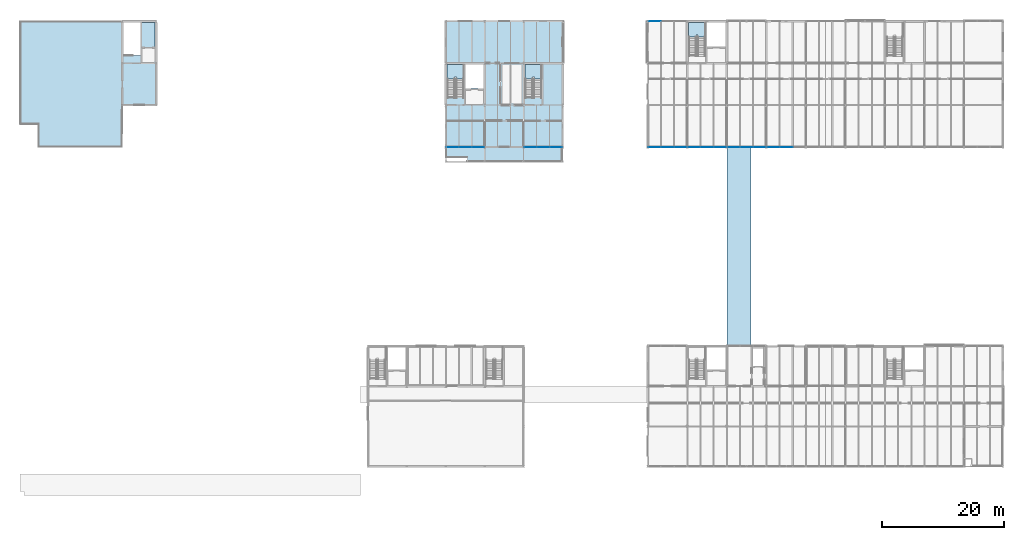
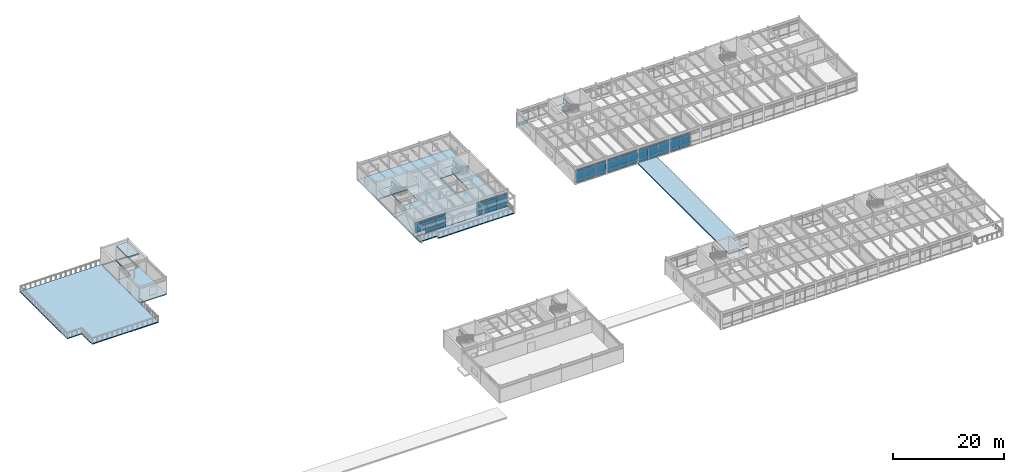
# One storey, part 30 of 49: 51 plates, 9 slabs, 10 elements without a shape of their own.
"""IFC4 building model written with IfcOpenShell, lengths in metres."""

from ifc_helpers import new_model, si_unit, direction, frame, origin, origin_2d, place, context, subcontext, project, spatial, polyline, rectangle, outline, extrude, material, layer, layer_set, type_object, element, aggregate, save


model = new_model("IFC4")

# Units and contexts
model_context = context("Model", 3, precision=1e-05, world=origin(), true_north=direction((0.0, 1.0)))
body_context = subcontext(model_context, "Body", "Model", "MODEL_VIEW")
ifc_project = project(units=[si_unit("LENGTHUNIT", "METRE"), si_unit("AREAUNIT", "SQUARE_METRE"), si_unit("VOLUMEUNIT", "CUBIC_METRE"), si_unit("PLANEANGLEUNIT", "RADIAN"), si_unit("MASSUNIT", "GRAM", prefix="KILO")], contexts=[model_context])

# Site, building, storey
site_placement = place(None, origin())
site = spatial("IfcSite", under=ifc_project, at=site_placement, CompositionType="ELEMENT")
building_placement = place(site_placement, origin())
building = spatial("IfcBuilding", under=site, at=building_placement, Name="Trelmorton Wharf Fire Station", CompositionType="ELEMENT")
storey_placement = place(building_placement, frame((0.0, 0.0, 9.60009765625)))
storey = spatial("IfcBuildingStorey", under=building, at=storey_placement, Name="L02", CompositionType="ELEMENT", Elevation=9.60009765625)

# Curtain wall, plates
ifc_material_1 = material(Name="Anodised aluminium AW-6063", Category="aluminium")
ifc_layer_1 = layer(ifc_material_1, 0.159912109375)
ifc_layer_set_1 = layer_set([ifc_layer_1], Name="Anodised aluminium AW-6063")
curtain_wall_type_1 = type_object("IfcCurtainWallType", Name="CW_CHIC_A", PredefinedType="USERDEFINED", material=ifc_layer_set_1)
curtain_wall_1_placement = place(storey_placement, origin())
curtain_wall_1 = element("IfcCurtainWall", 1, at=curtain_wall_1_placement, inside=storey, type_object=curtain_wall_type_1, Name="CW-V2-L02-101", ObjectType="CHICAGO BAY CURTAIN WALL", PredefinedType="USERDEFINED")
ifc_material_2 = material(Name="Tempered low-E double glazing", Category="glass")
ifc_layer_2 = layer(ifc_material_2, 0.028076171875)
ifc_layer_set_2 = layer_set([ifc_layer_2], Name="Tempered low-E double glazing")
plate_type_1 = type_object("IfcPlateType", Name="CWP_GLAZ_28", PredefinedType="CURTAIN_PANEL", material=ifc_layer_set_2)
plate_1_placement = place(storey_placement, frame((76.114990234375, 60.300048828125, 0.06005859375), z_axis=(0.0, 0.0, 1.0), x_axis=(-1.0, 0.0, 0.0)))
plate_1 = element("IfcPlate", 2, at=plate_1_placement, type_object=plate_type_1, Name="CW1 panel 1.1", PredefinedType="CURTAIN_PANEL", context=body_context, shape_type="SweptSolid", body=[
    extrude(rectangle(XDim=2.0400390625, YDim=0.028076171875, at=origin_2d()), origin(), (0.0, 0.0, 1.0), 0.760009765625),
])
plate_2_placement = place(storey_placement, frame((76.114990234375, 60.300048828125, 0.8798828125), z_axis=(0.0, 0.0, 1.0), x_axis=(-1.0, 0.0, 0.0)))
plate_2 = element("IfcPlate", 3, at=plate_2_placement, type_object=plate_type_1, Name="CW1 panel 1.2", PredefinedType="CURTAIN_PANEL", context=body_context, shape_type="SweptSolid", body=[
    extrude(rectangle(XDim=2.0400390625, YDim=0.028076171875, at=origin_2d()), origin(), (0.0, 0.0, 1.0), 1.610107421875),
])
plate_3_placement = place(storey_placement, frame((76.114990234375, 60.300048828125, 2.5498046875), z_axis=(0.0, 0.0, 1.0), x_axis=(-1.0, 0.0, 0.0)))
plate_3 = element("IfcPlate", 4, at=plate_3_placement, type_object=plate_type_1, Name="CW1 panel 1.3", PredefinedType="CURTAIN_PANEL", context=body_context, shape_type="SweptSolid", body=[
    extrude(rectangle(XDim=2.0400390625, YDim=0.028076171875, at=origin_2d()), origin(), (0.0, 0.0, 1.0), 0.409912109375),
])
plate_4_placement = place(storey_placement, frame((74.0, 60.300048828125, 0.06005859375), z_axis=(0.0, 0.0, 1.0), x_axis=(-1.0, 0.0, 0.0)))
plate_4 = element("IfcPlate", 5, at=plate_4_placement, type_object=plate_type_1, Name="CW1 panel 2.1", PredefinedType="CURTAIN_PANEL", context=body_context, shape_type="SweptSolid", body=[
    extrude(rectangle(XDim=2.070068359375, YDim=0.028076171875, at=origin_2d()), origin(), (0.0, 0.0, 1.0), 0.760009765625),
])
plate_5_placement = place(storey_placement, frame((74.0, 60.300048828125, 0.8798828125), z_axis=(0.0, 0.0, 1.0), x_axis=(-1.0, 0.0, 0.0)))
plate_5 = element("IfcPlate", 6, at=plate_5_placement, type_object=plate_type_1, Name="CW1 panel 2.2", PredefinedType="CURTAIN_PANEL", context=body_context, shape_type="SweptSolid", body=[
    extrude(rectangle(XDim=2.070068359375, YDim=0.028076171875, at=origin_2d()), origin(), (0.0, 0.0, 1.0), 1.610107421875),
])
plate_6_placement = place(storey_placement, frame((74.0, 60.300048828125, 2.5498046875), z_axis=(0.0, 0.0, 1.0), x_axis=(-1.0, 0.0, 0.0)))
plate_6 = element("IfcPlate", 7, at=plate_6_placement, type_object=plate_type_1, Name="CW1 panel 2.3", PredefinedType="CURTAIN_PANEL", context=body_context, shape_type="SweptSolid", body=[
    extrude(rectangle(XDim=2.070068359375, YDim=0.028076171875, at=origin_2d()), origin(), (0.0, 0.0, 1.0), 0.409912109375),
])
plate_7_placement = place(storey_placement, frame((71.885009765625, 60.300048828125, 0.8798828125), z_axis=(0.0, 0.0, 1.0), x_axis=(-1.0, 0.0, 0.0)))
plate_7 = element("IfcPlate", 8, at=plate_7_placement, type_object=plate_type_1, Name="CW1 panel 3.2", PredefinedType="CURTAIN_PANEL", context=body_context, shape_type="SweptSolid", body=[
    extrude(rectangle(XDim=2.0400390625, YDim=0.028076171875, at=origin_2d()), origin(), (0.0, 0.0, 1.0), 1.610107421875),
])
plate_8_placement = place(storey_placement, frame((71.885009765625, 60.300048828125, 2.5498046875), z_axis=(0.0, 0.0, 1.0), x_axis=(-1.0, 0.0, 0.0)))
plate_8 = element("IfcPlate", 9, at=plate_8_placement, type_object=plate_type_1, Name="CW1 panel 3.3", PredefinedType="CURTAIN_PANEL", context=body_context, shape_type="SweptSolid", body=[
    extrude(rectangle(XDim=2.0400390625, YDim=0.028076171875, at=origin_2d()), origin(), (0.0, 0.0, 1.0), 0.409912109375),
])
aggregate(curtain_wall_1, [plate_1, plate_2, plate_3, plate_4, plate_5, plate_6, plate_7, plate_8])

ifc_layer_3 = layer(ifc_material_1, 0.175048828125)
ifc_layer_set_3 = layer_set([ifc_layer_3], Name="Anodised aluminium AW-6063")
curtain_wall_type_2 = type_object("IfcCurtainWallType", Name="CW_CHIC_B", PredefinedType="USERDEFINED", material=ifc_layer_set_3)
curtain_wall_2_placement = place(storey_placement, origin())
curtain_wall_2 = element("IfcCurtainWall", 10, at=curtain_wall_2_placement, inside=storey, type_object=curtain_wall_type_2, Name="CW-V4-L02-130", ObjectType="CHICAGO BAY CURTAIN WALL", PredefinedType="USERDEFINED")
plate_9_placement = place(storey_placement, frame((109.3984375, 60.300048828125, 0.06005859375), z_axis=(0.0, 0.0, 1.0), x_axis=(-1.0, 0.0, 0.0)))
plate_9 = element("IfcPlate", 11, at=plate_9_placement, type_object=plate_type_1, Name="CW2 panel 1.1", PredefinedType="CURTAIN_PANEL", context=body_context, shape_type="SweptSolid", body=[
    extrude(rectangle(XDim=2.0732421875, YDim=0.028076171875, at=origin_2d()), origin(), (0.0, 0.0, 1.0), 0.760009765625),
])
plate_10_placement = place(storey_placement, frame((109.3984375, 60.300048828125, 0.8798828125), z_axis=(0.0, 0.0, 1.0), x_axis=(-1.0, 0.0, 0.0)))
plate_10 = element("IfcPlate", 12, at=plate_10_placement, type_object=plate_type_1, Name="CW2 panel 1.2", PredefinedType="CURTAIN_PANEL", context=body_context, shape_type="SweptSolid", body=[
    extrude(rectangle(XDim=2.0732421875, YDim=0.028076171875, at=origin_2d()), origin(), (0.0, 0.0, 1.0), 1.610107421875),
])
plate_11_placement = place(storey_placement, frame((109.3984375, 60.300048828125, 2.5498046875), z_axis=(0.0, 0.0, 1.0), x_axis=(-1.0, 0.0, 0.0)))
plate_11 = element("IfcPlate", 13, at=plate_11_placement, type_object=plate_type_1, Name="CW2 panel 1.3", PredefinedType="CURTAIN_PANEL", context=body_context, shape_type="SweptSolid", body=[
    extrude(rectangle(XDim=2.0732421875, YDim=0.028076171875, at=origin_2d()), origin(), (0.0, 0.0, 1.0), 0.409912109375),
])
plate_12_placement = place(storey_placement, frame((107.25, 60.300048828125, 0.06005859375), z_axis=(0.0, 0.0, 1.0), x_axis=(-1.0, 0.0, 0.0)))
plate_12 = element("IfcPlate", 14, at=plate_12_placement, type_object=plate_type_1, Name="CW2 panel 2.1", PredefinedType="CURTAIN_PANEL", context=body_context, shape_type="SweptSolid", body=[
    extrude(rectangle(XDim=2.103271484375, YDim=0.028076171875, at=origin_2d()), origin(), (0.0, 0.0, 1.0), 0.760009765625),
])
plate_13_placement = place(storey_placement, frame((107.25, 60.300048828125, 0.8798828125), z_axis=(0.0, 0.0, 1.0), x_axis=(-1.0, 0.0, 0.0)))
plate_13 = element("IfcPlate", 15, at=plate_13_placement, type_object=plate_type_1, Name="CW2 panel 2.2", PredefinedType="CURTAIN_PANEL", context=body_context, shape_type="SweptSolid", body=[
    extrude(rectangle(XDim=2.103271484375, YDim=0.028076171875, at=origin_2d()), origin(), (0.0, 0.0, 1.0), 1.610107421875),
])
plate_14_placement = place(storey_placement, frame((107.25, 60.300048828125, 2.5498046875), z_axis=(0.0, 0.0, 1.0), x_axis=(-1.0, 0.0, 0.0)))
plate_14 = element("IfcPlate", 16, at=plate_14_placement, type_object=plate_type_1, Name="CW2 panel 2.3", PredefinedType="CURTAIN_PANEL", context=body_context, shape_type="SweptSolid", body=[
    extrude(rectangle(XDim=2.103271484375, YDim=0.028076171875, at=origin_2d()), origin(), (0.0, 0.0, 1.0), 0.409912109375),
])
plate_15_placement = place(storey_placement, frame((105.1015625, 60.300048828125, 0.06005859375), z_axis=(0.0, 0.0, 1.0), x_axis=(-1.0, 0.0, 0.0)))
plate_15 = element("IfcPlate", 17, at=plate_15_placement, type_object=plate_type_1, Name="CW2 panel 3.1", PredefinedType="CURTAIN_PANEL", context=body_context, shape_type="SweptSolid", body=[
    extrude(rectangle(XDim=2.0732421875, YDim=0.028076171875, at=origin_2d()), origin(), (0.0, 0.0, 1.0), 0.760009765625),
])
plate_16_placement = place(storey_placement, frame((105.1015625, 60.300048828125, 0.8798828125), z_axis=(0.0, 0.0, 1.0), x_axis=(-1.0, 0.0, 0.0)))
plate_16 = element("IfcPlate", 18, at=plate_16_placement, type_object=plate_type_1, Name="CW2 panel 3.2", PredefinedType="CURTAIN_PANEL", context=body_context, shape_type="SweptSolid", body=[
    extrude(rectangle(XDim=2.0732421875, YDim=0.028076171875, at=origin_2d()), origin(), (0.0, 0.0, 1.0), 1.610107421875),
])
plate_17_placement = place(storey_placement, frame((105.1015625, 60.300048828125, 2.5498046875), z_axis=(0.0, 0.0, 1.0), x_axis=(-1.0, 0.0, 0.0)))
plate_17 = element("IfcPlate", 19, at=plate_17_placement, type_object=plate_type_1, Name="CW2 panel 3.3", PredefinedType="CURTAIN_PANEL", context=body_context, shape_type="SweptSolid", body=[
    extrude(rectangle(XDim=2.0732421875, YDim=0.028076171875, at=origin_2d()), origin(), (0.0, 0.0, 1.0), 0.409912109375),
])
aggregate(curtain_wall_2, [plate_9, plate_10, plate_11, plate_12, plate_13, plate_14, plate_15, plate_16, plate_17])

curtain_wall_3_placement = place(storey_placement, origin())
curtain_wall_3 = element("IfcCurtainWall", 20, at=curtain_wall_3_placement, inside=storey, type_object=curtain_wall_type_2, Name="CW-V4-L02-131", ObjectType="CHICAGO BAY CURTAIN WALL", PredefinedType="USERDEFINED")
plate_18_placement = place(storey_placement, frame((115.8984375, 60.300048828125, 0.06005859375), z_axis=(0.0, 0.0, 1.0), x_axis=(-1.0, 0.0, 0.0)))
plate_18 = element("IfcPlate", 21, at=plate_18_placement, type_object=plate_type_1, Name="CW2 panel 1.1", PredefinedType="CURTAIN_PANEL", context=body_context, shape_type="SweptSolid", body=[
    extrude(rectangle(XDim=2.0732421875, YDim=0.028076171875, at=origin_2d()), origin(), (0.0, 0.0, 1.0), 0.760009765625),
])
plate_19_placement = place(storey_placement, frame((115.8984375, 60.300048828125, 0.8798828125), z_axis=(0.0, 0.0, 1.0), x_axis=(-1.0, 0.0, 0.0)))
plate_19 = element("IfcPlate", 22, at=plate_19_placement, type_object=plate_type_1, Name="CW2 panel 1.2", PredefinedType="CURTAIN_PANEL", context=body_context, shape_type="SweptSolid", body=[
    extrude(rectangle(XDim=2.0732421875, YDim=0.028076171875, at=origin_2d()), origin(), (0.0, 0.0, 1.0), 1.610107421875),
])
plate_20_placement = place(storey_placement, frame((115.8984375, 60.300048828125, 2.5498046875), z_axis=(0.0, 0.0, 1.0), x_axis=(-1.0, 0.0, 0.0)))
plate_20 = element("IfcPlate", 23, at=plate_20_placement, type_object=plate_type_1, Name="CW2 panel 1.3", PredefinedType="CURTAIN_PANEL", context=body_context, shape_type="SweptSolid", body=[
    extrude(rectangle(XDim=2.0732421875, YDim=0.028076171875, at=origin_2d()), origin(), (0.0, 0.0, 1.0), 0.409912109375),
])
plate_21_placement = place(storey_placement, frame((113.75, 60.300048828125, 0.06005859375), z_axis=(0.0, 0.0, 1.0), x_axis=(-1.0, 0.0, 0.0)))
plate_21 = element("IfcPlate", 24, at=plate_21_placement, type_object=plate_type_1, Name="CW2 panel 2.1", PredefinedType="CURTAIN_PANEL", context=body_context, shape_type="SweptSolid", body=[
    extrude(rectangle(XDim=2.103271484375, YDim=0.028076171875, at=origin_2d()), origin(), (0.0, 0.0, 1.0), 0.760009765625),
])
plate_22_placement = place(storey_placement, frame((113.75, 60.300048828125, 0.8798828125), z_axis=(0.0, 0.0, 1.0), x_axis=(-1.0, 0.0, 0.0)))
plate_22 = element("IfcPlate", 25, at=plate_22_placement, type_object=plate_type_1, Name="CW2 panel 2.2", PredefinedType="CURTAIN_PANEL", context=body_context, shape_type="SweptSolid", body=[
    extrude(rectangle(XDim=2.103271484375, YDim=0.028076171875, at=origin_2d()), origin(), (0.0, 0.0, 1.0), 1.610107421875),
])
plate_23_placement = place(storey_placement, frame((113.75, 60.300048828125, 2.5498046875), z_axis=(0.0, 0.0, 1.0), x_axis=(-1.0, 0.0, 0.0)))
plate_23 = element("IfcPlate", 26, at=plate_23_placement, type_object=plate_type_1, Name="CW2 panel 2.3", PredefinedType="CURTAIN_PANEL", context=body_context, shape_type="SweptSolid", body=[
    extrude(rectangle(XDim=2.103271484375, YDim=0.028076171875, at=origin_2d()), origin(), (0.0, 0.0, 1.0), 0.409912109375),
])
plate_24_placement = place(storey_placement, frame((111.6015625, 60.300048828125, 0.06005859375), z_axis=(0.0, 0.0, 1.0), x_axis=(-1.0, 0.0, 0.0)))
plate_24 = element("IfcPlate", 27, at=plate_24_placement, type_object=plate_type_1, Name="CW2 panel 3.1", PredefinedType="CURTAIN_PANEL", context=body_context, shape_type="SweptSolid", body=[
    extrude(rectangle(XDim=2.0732421875, YDim=0.028076171875, at=origin_2d()), origin(), (0.0, 0.0, 1.0), 0.760009765625),
])
plate_25_placement = place(storey_placement, frame((111.6015625, 60.300048828125, 0.8798828125), z_axis=(0.0, 0.0, 1.0), x_axis=(-1.0, 0.0, 0.0)))
plate_25 = element("IfcPlate", 28, at=plate_25_placement, type_object=plate_type_1, Name="CW2 panel 3.2", PredefinedType="CURTAIN_PANEL", context=body_context, shape_type="SweptSolid", body=[
    extrude(rectangle(XDim=2.0732421875, YDim=0.028076171875, at=origin_2d()), origin(), (0.0, 0.0, 1.0), 1.610107421875),
])
plate_26_placement = place(storey_placement, frame((111.6015625, 60.300048828125, 2.5498046875), z_axis=(0.0, 0.0, 1.0), x_axis=(-1.0, 0.0, 0.0)))
plate_26 = element("IfcPlate", 29, at=plate_26_placement, type_object=plate_type_1, Name="CW2 panel 3.3", PredefinedType="CURTAIN_PANEL", context=body_context, shape_type="SweptSolid", body=[
    extrude(rectangle(XDim=2.0732421875, YDim=0.028076171875, at=origin_2d()), origin(), (0.0, 0.0, 1.0), 0.409912109375),
])
aggregate(curtain_wall_3, [plate_18, plate_19, plate_20, plate_21, plate_22, plate_23, plate_24, plate_25, plate_26])

curtain_wall_4_placement = place(storey_placement, origin())
curtain_wall_4 = element("IfcCurtainWall", 30, at=curtain_wall_4_placement, inside=storey, type_object=curtain_wall_type_2, Name="CW-V4-L02-133", ObjectType="CHICAGO BAY CURTAIN WALL", PredefinedType="USERDEFINED")
plate_27_placement = place(storey_placement, frame((126.75, 60.300048828125, 0.06005859375), z_axis=(0.0, 0.0, 1.0), x_axis=(-1.0, 0.0, 0.0)))
plate_27 = element("IfcPlate", 31, at=plate_27_placement, type_object=plate_type_1, Name="CW2 panel 2.1", PredefinedType="CURTAIN_PANEL", context=body_context, shape_type="SweptSolid", body=[
    extrude(rectangle(XDim=2.103271484375, YDim=0.028076171875, at=origin_2d()), origin(), (0.0, 0.0, 1.0), 0.760009765625),
])
plate_28_placement = place(storey_placement, frame((126.75, 60.300048828125, 0.8798828125), z_axis=(0.0, 0.0, 1.0), x_axis=(-1.0, 0.0, 0.0)))
plate_28 = element("IfcPlate", 32, at=plate_28_placement, type_object=plate_type_1, Name="CW2 panel 2.2", PredefinedType="CURTAIN_PANEL", context=body_context, shape_type="SweptSolid", body=[
    extrude(rectangle(XDim=2.103271484375, YDim=0.028076171875, at=origin_2d()), origin(), (0.0, 0.0, 1.0), 1.610107421875),
])
plate_29_placement = place(storey_placement, frame((126.75, 60.300048828125, 2.5498046875), z_axis=(0.0, 0.0, 1.0), x_axis=(-1.0, 0.0, 0.0)))
plate_29 = element("IfcPlate", 33, at=plate_29_placement, type_object=plate_type_1, Name="CW2 panel 2.3", PredefinedType="CURTAIN_PANEL", context=body_context, shape_type="SweptSolid", body=[
    extrude(rectangle(XDim=2.103271484375, YDim=0.028076171875, at=origin_2d()), origin(), (0.0, 0.0, 1.0), 0.409912109375),
])
plate_30_placement = place(storey_placement, frame((124.6015625, 60.300048828125, 0.06005859375), z_axis=(0.0, 0.0, 1.0), x_axis=(-1.0, 0.0, 0.0)))
plate_30 = element("IfcPlate", 34, at=plate_30_placement, type_object=plate_type_1, Name="CW2 panel 3.1", PredefinedType="CURTAIN_PANEL", context=body_context, shape_type="SweptSolid", body=[
    extrude(rectangle(XDim=2.0732421875, YDim=0.028076171875, at=origin_2d()), origin(), (0.0, 0.0, 1.0), 0.760009765625),
])
plate_31_placement = place(storey_placement, frame((124.6015625, 60.300048828125, 0.8798828125), z_axis=(0.0, 0.0, 1.0), x_axis=(-1.0, 0.0, 0.0)))
plate_31 = element("IfcPlate", 35, at=plate_31_placement, type_object=plate_type_1, Name="CW2 panel 3.2", PredefinedType="CURTAIN_PANEL", context=body_context, shape_type="SweptSolid", body=[
    extrude(rectangle(XDim=2.0732421875, YDim=0.028076171875, at=origin_2d()), origin(), (0.0, 0.0, 1.0), 1.610107421875),
])
plate_32_placement = place(storey_placement, frame((124.6015625, 60.300048828125, 2.5498046875), z_axis=(0.0, 0.0, 1.0), x_axis=(-1.0, 0.0, 0.0)))
plate_32 = element("IfcPlate", 36, at=plate_32_placement, type_object=plate_type_1, Name="CW2 panel 3.3", PredefinedType="CURTAIN_PANEL", context=body_context, shape_type="SweptSolid", body=[
    extrude(rectangle(XDim=2.0732421875, YDim=0.028076171875, at=origin_2d()), origin(), (0.0, 0.0, 1.0), 0.409912109375),
])
aggregate(curtain_wall_4, [plate_27, plate_28, plate_29, plate_30, plate_31, plate_32])

# Curtain wall, plate
ifc_layer_4 = layer(ifc_material_1, 0.14990234375)
ifc_layer_set_4 = layer_set([ifc_layer_4], Name="Anodised aluminium AW-6063")
curtain_wall_type_3 = type_object("IfcCurtainWallType", Name="CW_UNIT_A", PredefinedType="USERDEFINED", material=ifc_layer_set_4)
curtain_wall_5_placement = place(storey_placement, origin())
curtain_wall_5 = element("IfcCurtainWall", 37, at=curtain_wall_5_placement, inside=storey, type_object=curtain_wall_type_3, Name="CW-V4-L02-139", ObjectType="UNITISED CURTAIN WALL", PredefinedType="USERDEFINED")
plate_33_placement = place(storey_placement, frame((105.1015625, 81.0, 0.06005859375), z_axis=(0.0, 0.0, 1.0), x_axis=(1.0, 0.0, 0.0)))
plate_33 = element("IfcPlate", 38, at=plate_33_placement, type_object=plate_type_1, Name="CW3 panel 1.1", PredefinedType="CURTAIN_PANEL", context=body_context, shape_type="SweptSolid", body=[
    extrude(rectangle(XDim=2.0732421875, YDim=0.028076171875, at=origin_2d()), origin(), (0.0, 0.0, 1.0), 0.760009765625),
])
aggregate(curtain_wall_5, [plate_33])

# Curtain wall, plates
curtain_wall_6_placement = place(storey_placement, origin())
curtain_wall_6 = element("IfcCurtainWall", 39, at=curtain_wall_6_placement, inside=storey, type_object=curtain_wall_type_1, Name="CW-V2-L02-102", ObjectType="CHICAGO BAY CURTAIN WALL", PredefinedType="USERDEFINED")
ifc_material_3 = material(Name="Ceramic-fritted spandrel glazing", Category="glass")
ifc_layer_5 = layer(ifc_material_3, 0.028076171875)
ifc_layer_set_5 = layer_set([ifc_layer_5], Name="Ceramic-fritted spandrel glazing")
plate_type_2 = type_object("IfcPlateType", Name="CWP_SPAN_48", PredefinedType="CURTAIN_PANEL", material=ifc_layer_set_5)
plate_34_placement = place(storey_placement, frame((88.9150390625, 60.300048828125, 0.06005859375), z_axis=(0.0, 0.0, 1.0), x_axis=(-1.0, 0.0, 0.0)))
plate_34 = element("IfcPlate", 40, at=plate_34_placement, type_object=plate_type_2, Name="CW1 panel 1.1", PredefinedType="CURTAIN_PANEL", context=body_context, shape_type="SweptSolid", body=[
    extrude(rectangle(XDim=2.0400390625, YDim=0.028076171875, at=origin_2d()), origin(), (0.0, 0.0, 1.0), 0.760009765625),
])
plate_35_placement = place(storey_placement, frame((88.9150390625, 60.300048828125, 0.8798828125), z_axis=(0.0, 0.0, 1.0), x_axis=(-1.0, 0.0, 0.0)))
plate_35 = element("IfcPlate", 41, at=plate_35_placement, type_object=plate_type_2, Name="CW1 panel 1.2", PredefinedType="CURTAIN_PANEL", context=body_context, shape_type="SweptSolid", body=[
    extrude(rectangle(XDim=2.0400390625, YDim=0.028076171875, at=origin_2d()), origin(), (0.0, 0.0, 1.0), 1.610107421875),
])
plate_36_placement = place(storey_placement, frame((88.9150390625, 60.300048828125, 2.5498046875), z_axis=(0.0, 0.0, 1.0), x_axis=(-1.0, 0.0, 0.0)))
plate_36 = element("IfcPlate", 42, at=plate_36_placement, type_object=plate_type_2, Name="CW1 panel 1.3", PredefinedType="CURTAIN_PANEL", context=body_context, shape_type="SweptSolid", body=[
    extrude(rectangle(XDim=2.0400390625, YDim=0.028076171875, at=origin_2d()), origin(), (0.0, 0.0, 1.0), 0.409912109375),
])
plate_37_placement = place(storey_placement, frame((86.800048828125, 60.300048828125, 0.06005859375), z_axis=(0.0, 0.0, 1.0), x_axis=(-1.0, 0.0, 0.0)))
plate_37 = element("IfcPlate", 43, at=plate_37_placement, type_object=plate_type_2, Name="CW1 panel 2.1", PredefinedType="CURTAIN_PANEL", context=body_context, shape_type="SweptSolid", body=[
    extrude(rectangle(XDim=2.070068359375, YDim=0.028076171875, at=origin_2d()), origin(), (0.0, 0.0, 1.0), 0.760009765625),
])
plate_38_placement = place(storey_placement, frame((86.800048828125, 60.300048828125, 0.8798828125), z_axis=(0.0, 0.0, 1.0), x_axis=(-1.0, 0.0, 0.0)))
plate_38 = element("IfcPlate", 44, at=plate_38_placement, type_object=plate_type_2, Name="CW1 panel 2.2", PredefinedType="CURTAIN_PANEL", context=body_context, shape_type="SweptSolid", body=[
    extrude(rectangle(XDim=2.070068359375, YDim=0.028076171875, at=origin_2d()), origin(), (0.0, 0.0, 1.0), 1.610107421875),
])
plate_39_placement = place(storey_placement, frame((86.800048828125, 60.300048828125, 2.5498046875), z_axis=(0.0, 0.0, 1.0), x_axis=(-1.0, 0.0, 0.0)))
plate_39 = element("IfcPlate", 45, at=plate_39_placement, type_object=plate_type_2, Name="CW1 panel 2.3", PredefinedType="CURTAIN_PANEL", context=body_context, shape_type="SweptSolid", body=[
    extrude(rectangle(XDim=2.070068359375, YDim=0.028076171875, at=origin_2d()), origin(), (0.0, 0.0, 1.0), 0.409912109375),
])
plate_40_placement = place(storey_placement, frame((84.68505859375, 60.300048828125, 0.06005859375), z_axis=(0.0, 0.0, 1.0), x_axis=(-1.0, 0.0, 0.0)))
plate_40 = element("IfcPlate", 46, at=plate_40_placement, type_object=plate_type_2, Name="CW1 panel 3.1", PredefinedType="CURTAIN_PANEL", context=body_context, shape_type="SweptSolid", body=[
    extrude(rectangle(XDim=2.0400390625, YDim=0.028076171875, at=origin_2d()), origin(), (0.0, 0.0, 1.0), 0.760009765625),
])
plate_41_placement = place(storey_placement, frame((84.68505859375, 60.300048828125, 0.8798828125), z_axis=(0.0, 0.0, 1.0), x_axis=(-1.0, 0.0, 0.0)))
plate_41 = element("IfcPlate", 47, at=plate_41_placement, type_object=plate_type_2, Name="CW1 panel 3.2", PredefinedType="CURTAIN_PANEL", context=body_context, shape_type="SweptSolid", body=[
    extrude(rectangle(XDim=2.0400390625, YDim=0.028076171875, at=origin_2d()), origin(), (0.0, 0.0, 1.0), 1.610107421875),
])
plate_42_placement = place(storey_placement, frame((84.68505859375, 60.300048828125, 2.5498046875), z_axis=(0.0, 0.0, 1.0), x_axis=(-1.0, 0.0, 0.0)))
plate_42 = element("IfcPlate", 48, at=plate_42_placement, type_object=plate_type_2, Name="CW1 panel 3.3", PredefinedType="CURTAIN_PANEL", context=body_context, shape_type="SweptSolid", body=[
    extrude(rectangle(XDim=2.0400390625, YDim=0.028076171875, at=origin_2d()), origin(), (0.0, 0.0, 1.0), 0.409912109375),
])
aggregate(curtain_wall_6, [plate_34, plate_35, plate_36, plate_37, plate_38, plate_39, plate_40, plate_41, plate_42])

curtain_wall_7_placement = place(storey_placement, origin())
curtain_wall_7 = element("IfcCurtainWall", 49, at=curtain_wall_7_placement, inside=storey, type_object=curtain_wall_type_2, Name="CW-V4-L02-132", ObjectType="CHICAGO BAY CURTAIN WALL", PredefinedType="USERDEFINED")
plate_43_placement = place(storey_placement, frame((122.3984375, 60.300048828125, 0.06005859375), z_axis=(0.0, 0.0, 1.0), x_axis=(-1.0, 0.0, 0.0)))
plate_43 = element("IfcPlate", 50, at=plate_43_placement, type_object=plate_type_2, Name="CW2 panel 1.1", PredefinedType="CURTAIN_PANEL", context=body_context, shape_type="SweptSolid", body=[
    extrude(rectangle(XDim=2.0732421875, YDim=0.028076171875, at=origin_2d()), origin(), (0.0, 0.0, 1.0), 0.760009765625),
])
plate_44_placement = place(storey_placement, frame((122.3984375, 60.300048828125, 0.8798828125), z_axis=(0.0, 0.0, 1.0), x_axis=(-1.0, 0.0, 0.0)))
plate_44 = element("IfcPlate", 51, at=plate_44_placement, type_object=plate_type_2, Name="CW2 panel 1.2", PredefinedType="CURTAIN_PANEL", context=body_context, shape_type="SweptSolid", body=[
    extrude(rectangle(XDim=2.0732421875, YDim=0.028076171875, at=origin_2d()), origin(), (0.0, 0.0, 1.0), 1.610107421875),
])
plate_45_placement = place(storey_placement, frame((122.3984375, 60.300048828125, 2.5498046875), z_axis=(0.0, 0.0, 1.0), x_axis=(-1.0, 0.0, 0.0)))
plate_45 = element("IfcPlate", 52, at=plate_45_placement, type_object=plate_type_2, Name="CW2 panel 1.3", PredefinedType="CURTAIN_PANEL", context=body_context, shape_type="SweptSolid", body=[
    extrude(rectangle(XDim=2.0732421875, YDim=0.028076171875, at=origin_2d()), origin(), (0.0, 0.0, 1.0), 0.409912109375),
])
plate_46_placement = place(storey_placement, frame((120.25, 60.300048828125, 0.06005859375), z_axis=(0.0, 0.0, 1.0), x_axis=(-1.0, 0.0, 0.0)))
plate_46 = element("IfcPlate", 53, at=plate_46_placement, type_object=plate_type_2, Name="CW2 panel 2.1", PredefinedType="CURTAIN_PANEL", context=body_context, shape_type="SweptSolid", body=[
    extrude(rectangle(XDim=2.103271484375, YDim=0.028076171875, at=origin_2d()), origin(), (0.0, 0.0, 1.0), 0.760009765625),
])
plate_47_placement = place(storey_placement, frame((120.25, 60.300048828125, 0.8798828125), z_axis=(0.0, 0.0, 1.0), x_axis=(-1.0, 0.0, 0.0)))
plate_47 = element("IfcPlate", 54, at=plate_47_placement, type_object=plate_type_2, Name="CW2 panel 2.2", PredefinedType="CURTAIN_PANEL", context=body_context, shape_type="SweptSolid", body=[
    extrude(rectangle(XDim=2.103271484375, YDim=0.028076171875, at=origin_2d()), origin(), (0.0, 0.0, 1.0), 1.610107421875),
])
plate_48_placement = place(storey_placement, frame((120.25, 60.300048828125, 2.5498046875), z_axis=(0.0, 0.0, 1.0), x_axis=(-1.0, 0.0, 0.0)))
plate_48 = element("IfcPlate", 55, at=plate_48_placement, type_object=plate_type_2, Name="CW2 panel 2.3", PredefinedType="CURTAIN_PANEL", context=body_context, shape_type="SweptSolid", body=[
    extrude(rectangle(XDim=2.103271484375, YDim=0.028076171875, at=origin_2d()), origin(), (0.0, 0.0, 1.0), 0.409912109375),
])
plate_49_placement = place(storey_placement, frame((118.1015625, 60.300048828125, 0.06005859375), z_axis=(0.0, 0.0, 1.0), x_axis=(-1.0, 0.0, 0.0)))
plate_49 = element("IfcPlate", 56, at=plate_49_placement, type_object=plate_type_2, Name="CW2 panel 3.1", PredefinedType="CURTAIN_PANEL", context=body_context, shape_type="SweptSolid", body=[
    extrude(rectangle(XDim=2.0732421875, YDim=0.028076171875, at=origin_2d()), origin(), (0.0, 0.0, 1.0), 0.760009765625),
])
plate_50_placement = place(storey_placement, frame((118.1015625, 60.300048828125, 0.8798828125), z_axis=(0.0, 0.0, 1.0), x_axis=(-1.0, 0.0, 0.0)))
plate_50 = element("IfcPlate", 57, at=plate_50_placement, type_object=plate_type_2, Name="CW2 panel 3.2", PredefinedType="CURTAIN_PANEL", context=body_context, shape_type="SweptSolid", body=[
    extrude(rectangle(XDim=2.0732421875, YDim=0.028076171875, at=origin_2d()), origin(), (0.0, 0.0, 1.0), 1.610107421875),
])
plate_51_placement = place(storey_placement, frame((118.1015625, 60.300048828125, 2.5498046875), z_axis=(0.0, 0.0, 1.0), x_axis=(-1.0, 0.0, 0.0)))
plate_51 = element("IfcPlate", 58, at=plate_51_placement, type_object=plate_type_2, Name="CW2 panel 3.3", PredefinedType="CURTAIN_PANEL", context=body_context, shape_type="SweptSolid", body=[
    extrude(rectangle(XDim=2.0732421875, YDim=0.028076171875, at=origin_2d()), origin(), (0.0, 0.0, 1.0), 0.409912109375),
])
aggregate(curtain_wall_7, [plate_43, plate_44, plate_45, plate_46, plate_47, plate_48, plate_49, plate_50, plate_51])

# Slabs
ifc_material_4 = material(Name="Concrete 40 MPa", Category="concrete")
ifc_layer_6 = layer(ifc_material_4, 0.199951171875)
ifc_layer_set_6 = layer_set([ifc_layer_6], Name="Concrete 40 MPa")
slab_type_1 = type_object("IfcSlabType", Name="SL_FLOOR_200", PredefinedType="FLOOR", material=ifc_layer_set_6)
slab_1_placement = place(storey_placement, frame((0.0, 0.0, -0.2001953125)))
element("IfcSlab", 59, at=slab_1_placement, inside=storey, type_object=slab_type_1, Name="SL-V2-L02-042", PredefinedType="FLOOR", context=body_context, shape_type="SweptSolid", body=[
    extrude(outline(polyline([(90.0, 81.0), (90.0, 60.300048828125), (70.800048828125, 60.300048828125), (70.800048828125, 81.0), (90.0, 81.0)]), holes=[polyline([(71.02001953125, 68.43994140625), (73.81005859375, 68.43994140625), (73.81005859375, 73.8798828125), (71.02001953125, 73.8798828125), (71.02001953125, 68.43994140625)]), polyline([(74.0400390625, 73.8798828125), (74.0400390625, 69.919921875), (76.97998046875, 69.919921875), (76.97998046875, 73.8798828125), (74.0400390625, 73.8798828125)]), polyline([(86.610107421875, 73.8798828125), (83.820068359375, 73.8798828125), (83.820068359375, 68.43994140625), (86.610107421875, 68.43994140625), (86.610107421875, 73.8798828125)])]), origin(), (0.0, 0.0, 1.0), 0.2001953125),
])
slab_2_placement = place(storey_placement, frame((0.0, 0.0, 3.02001953125)))
element("IfcSlab", 60, at=slab_2_placement, inside=storey, type_object=slab_type_1, Name="SL-CAP-C5", PredefinedType="FLOOR", context=body_context, shape_type="SweptSolid", body=[
    extrude(outline(polyline([(20.659912109375, 76.639892578125), (22.9951171875, 76.639892578125), (22.9951171875, 80.794921875), (20.659912109375, 80.794921875), (20.659912109375, 76.639892578125)])), origin(), (0.0, 0.0, 1.0), 0.199951171875),
])
ifc_layer_7 = layer(ifc_material_4, 0.219970703125)
ifc_layer_set_7 = layer_set([ifc_layer_7], Name="Concrete 40 MPa")
slab_type_2 = type_object("IfcSlabType", Name="SL_FLOOR_220", PredefinedType="FLOOR", material=ifc_layer_set_7)
slab_3_placement = place(storey_placement, frame((0.0, 0.0, -0.22021484375)))
element("IfcSlab", 61, at=slab_3_placement, inside=storey, type_object=slab_type_2, Name="SL-V6-L02-036", PredefinedType="FLOOR", context=body_context, shape_type="SweptSolid", body=[
    extrude(outline(polyline([(17.60009765625, 81.0), (23.199951171875, 81.0), (23.199951171875, 67.199951171875), (17.60009765625, 67.199951171875), (17.60009765625, 81.0)]), holes=[polyline([(17.820068359375, 80.780029296875), (17.820068359375, 75.340087890625), (20.610107421875, 75.340087890625), (20.610107421875, 80.780029296875), (17.820068359375, 80.780029296875)]), polyline([(22.97998046875, 80.780029296875), (20.840087890625, 80.780029296875), (20.840087890625, 76.820068359375), (22.97998046875, 76.820068359375), (22.97998046875, 80.780029296875)])]), origin(), (0.0, 0.0, 1.0), 0.22021484375),
])

# Stair, slab
ifc_material_5 = material(Name="Precast concrete 45 MPa", Category="concrete")
stair_type = type_object("IfcStairType", Name="ST_DOG_390", PredefinedType="HALF_TURN_STAIR", material=ifc_material_5)
stair_1_placement = place(storey_placement, origin())
stair_1 = element("IfcStair", 62, at=stair_1_placement, inside=storey, type_object=stair_type, Name="Escape Stair ST8-L02", PredefinedType="HALF_TURN_STAIR")
ifc_layer_8 = layer(ifc_material_5, 0.199951171875)
ifc_layer_set_8 = layer_set([ifc_layer_8], Name="Precast concrete 45 MPa")
slab_type_3 = type_object("IfcSlabType", Name="SL_LAND_180", PredefinedType="LANDING", material=ifc_layer_set_8)
slab_4_placement = place(storey_placement, frame((0.0, 0.0, 1.75)))
slab_4 = element("IfcSlab", 63, at=slab_4_placement, type_object=slab_type_3, Name="ST8-L02 landing 1", PredefinedType="LANDING", context=body_context, shape_type="SweptSolid", body=[
    extrude(outline(polyline([(71.0048828125, 71.530029296875), (72.300048828125, 71.530029296875), (72.300048828125, 71.949951171875), (72.5, 71.949951171875), (72.5, 71.530029296875), (73.804931640625, 71.530029296875), (73.804931640625, 73.89501953125), (71.0048828125, 73.89501953125), (71.0048828125, 71.530029296875)])), origin(), (0.0, 0.0, 1.0), 0.199951171875),
])
aggregate(stair_1, [slab_4])

stair_2_placement = place(storey_placement, origin())
stair_2 = element("IfcStair", 64, at=stair_2_placement, inside=storey, type_object=stair_type, Name="Escape Stair ST9-L02", PredefinedType="HALF_TURN_STAIR")
slab_5_placement = place(storey_placement, frame((0.0, 0.0, 1.75)))
slab_5 = element("IfcSlab", 65, at=slab_5_placement, type_object=slab_type_3, Name="ST9-L02 landing 1", PredefinedType="LANDING", context=body_context, shape_type="SweptSolid", body=[
    extrude(outline(polyline([(83.804931640625, 71.530029296875), (85.10009765625, 71.530029296875), (85.10009765625, 71.949951171875), (85.300048828125, 71.949951171875), (85.300048828125, 71.530029296875), (86.60498046875, 71.530029296875), (86.60498046875, 73.89501953125), (83.804931640625, 73.89501953125), (83.804931640625, 71.530029296875)])), origin(), (0.0, 0.0, 1.0), 0.199951171875),
])
aggregate(stair_2, [slab_5])

stair_3_placement = place(storey_placement, origin())
stair_3 = element("IfcStair", 66, at=stair_3_placement, inside=storey, type_object=stair_type, Name="Escape Stair ST10-L02", PredefinedType="HALF_TURN_STAIR")
slab_6_placement = place(storey_placement, frame((0.0, 0.0, 1.75)))
slab_6 = element("IfcSlab", 67, at=slab_6_placement, type_object=slab_type_3, Name="ST10-L02 landing 1", PredefinedType="LANDING", context=body_context, shape_type="SweptSolid", body=[
    extrude(outline(polyline([(110.705078125, 78.429931640625), (112.0, 78.429931640625), (112.0, 78.85009765625), (112.199951171875, 78.85009765625), (112.199951171875, 78.429931640625), (113.5048828125, 78.429931640625), (113.5048828125, 80.794921875), (110.705078125, 80.794921875), (110.705078125, 78.429931640625)])), origin(), (0.0, 0.0, 1.0), 0.199951171875),
])
aggregate(stair_3, [slab_6])

# Slabs
ifc_layer_9 = layer(ifc_material_4, 0.27001953125)
ifc_layer_set_9 = layer_set([ifc_layer_9], Name="Concrete 40 MPa")
slab_type_4 = type_object("IfcSlabType", Name="SL_ROOF_FLAT_190", PredefinedType="ROOF", material=ifc_layer_set_9)
slab_7_placement = place(storey_placement, frame((0.0, 0.0, -0.27001953125)))
element("IfcSlab", 68, at=slab_7_placement, inside=storey, type_object=slab_type_4, Name="SL-BR3-RF", PredefinedType="ROOF", context=body_context, shape_type="SweptSolid", body=[
    extrude(outline(polyline([(121.0, 27.60009765625), (121.0, 60.300048828125), (117.0, 60.300048828125), (117.0, 27.60009765625), (121.0, 27.60009765625)])), origin(), (0.0, 0.0, 1.0), 0.27001953125),
])
ifc_layer_10 = layer(ifc_material_4, 0.2099609375)
ifc_layer_set_10 = layer_set([ifc_layer_10], Name="Concrete 40 MPa")
slab_type_5 = type_object("IfcSlabType", Name="SL_TERRACE_210", PredefinedType="FLOOR", material=ifc_layer_set_10)
slab_8_placement = place(storey_placement, frame((0.0, 0.0, -0.210205078125)))
element("IfcSlab", 69, at=slab_8_placement, inside=storey, type_object=slab_type_5, Name="SL-EXT-V6_ROOF_GARDEN_L02", PredefinedType="FLOOR", context=body_context, shape_type="SweptSolid", body=[
    extrude(outline(polyline([(0.800048828125, 81.0), (17.60009765625, 81.0), (17.60009765625, 60.300048828125), (3.823974609375, 60.300048828125), (3.823974609375, 64.02587890625), (0.800048828125, 64.02587890625), (0.800048828125, 81.0)])), origin(), (0.0, 0.0, 1.0), 0.210205078125),
])
slab_9_placement = place(storey_placement, frame((0.0, 0.0, -0.210205078125)))
element("IfcSlab", 70, at=slab_9_placement, inside=storey, type_object=slab_type_5, Name="SL-EXT-V2_ABSEIL_BALC_L02", PredefinedType="FLOOR", context=body_context, shape_type="SweptSolid", body=[
    extrude(outline(polyline([(70.800048828125, 60.300048828125), (90.0, 60.300048828125), (90.0, 57.89990234375), (74.256103515625, 57.89990234375), (74.256103515625, 58.550048828125), (70.800048828125, 58.550048828125), (70.800048828125, 60.300048828125)])), origin(), (0.0, 0.0, 1.0), 0.210205078125),
])

save(model, "model.ifc")
